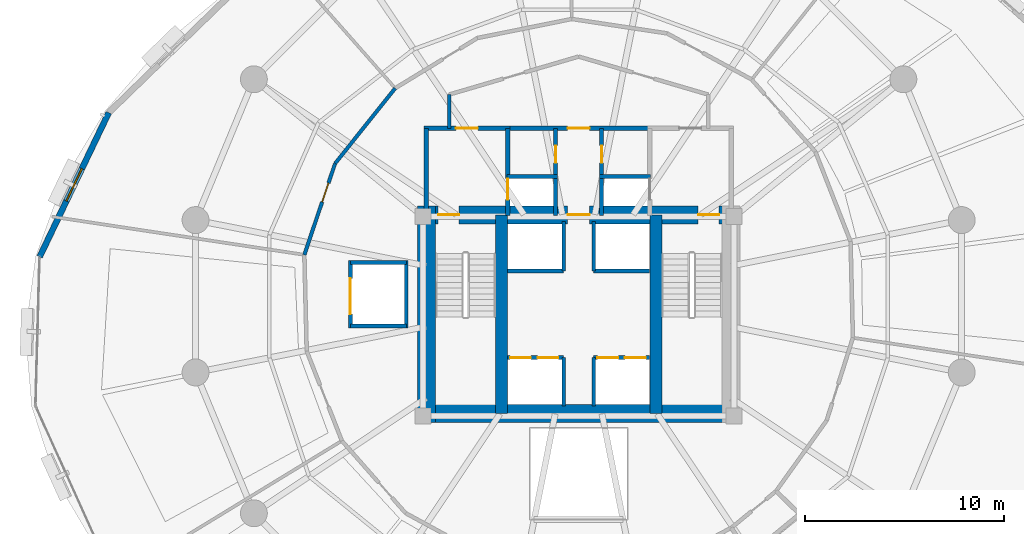
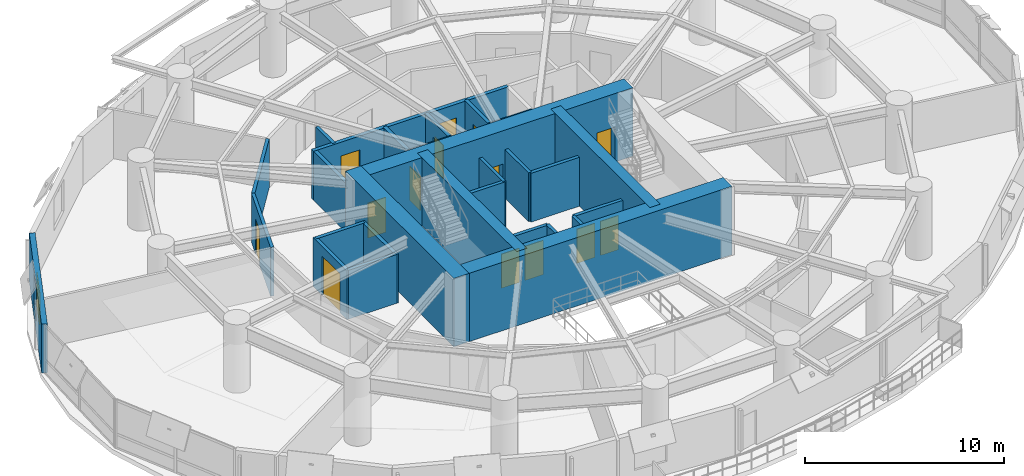
# One storey, part 12 of 17: 29 walls, 14 doors, 1 window, 15 openings.
"""IFC4 building model written with IfcOpenShell, lengths in metres."""

from ifc_helpers import new_model, si_unit, direction, frame, frame_2d, origin, place, context, subcontext, project, spatial, rectangle, extrude, material, layer, layer_set, type_object, element, fill, save


model = new_model("IFC4")

# Units and contexts
model_context = context("Model", 3, precision=1e-05, world=origin(), true_north=direction((0.0, 1.0)))
body_context = subcontext(model_context, "Body", "Model", "MODEL_VIEW")
ifc_project = project(units=[si_unit("LENGTHUNIT", "METRE"), si_unit("AREAUNIT", "SQUARE_METRE"), si_unit("VOLUMEUNIT", "CUBIC_METRE"), si_unit("PLANEANGLEUNIT", "RADIAN"), si_unit("MASSUNIT", "GRAM", prefix="KILO"), si_unit("THERMODYNAMICTEMPERATUREUNIT", "KELVIN"), si_unit("POWERUNIT", "WATT")], contexts=[model_context])

# Site, building, storey
site_placement = place(None, origin())
site = spatial("IfcSite", under=ifc_project, at=site_placement, CompositionType="ELEMENT")
building_placement = place(site_placement, origin())
building = spatial("IfcBuilding", under=site, at=building_placement, Name="Ocrelia Relay Tower", CompositionType="ELEMENT")
storey_placement = place(building_placement, frame((0.0, 0.0, 80.39990234375)))
storey = spatial("IfcBuildingStorey", under=building, at=storey_placement, Name="L18", CompositionType="ELEMENT", Elevation=80.39990234375)

# Wall
ifc_material_1 = material(Name="Concrete C70/85", Category="concrete")
ifc_layer_1 = layer(ifc_material_1, 0.89990234375, Name="Concrete C70/85")
ifc_layer_set_1 = layer_set([ifc_layer_1], Name="Concrete C70/85")
wall_type_1 = type_object("IfcWallType", Name="CW-CORE-900", PredefinedType="SHEAR", material=ifc_layer_set_1)
wall_1_placement = place(storey_placement, frame((25.922119140625, 20.112060546875, 0.0), z_axis=(0.0, 0.0, 1.0), x_axis=(1.0, 0.0, 0.0)))
element("IfcWall", 1, at=wall_1_placement, inside=storey, type_object=wall_type_1, Name="L18 Core Shear Wall S", PredefinedType="SHEAR", context=body_context, shape_type="SweptSolid", body=[
    extrude(rectangle(XDim=16.165771484375, YDim=0.89990234375, at=frame_2d((8.0830078125, 0.0))), origin(), (0.0, 0.0, 1.0), 4.2001953125),
])

# Wall, openings, doors
wall_2_placement = place(storey_placement, frame((25.922119140625, 30.087890625, 0.0), z_axis=(0.0, 0.0, 1.0), x_axis=(1.0, 0.0, 0.0)))
wall_2 = element("IfcWall", 2, at=wall_2_placement, inside=storey, type_object=wall_type_1, Name="L18 Core Shear Wall N", PredefinedType="SHEAR", context=body_context, shape_type="SweptSolid", body=[
    extrude(rectangle(XDim=16.165771484375, YDim=0.89990234375, at=frame_2d((8.0830078125, 0.0))), origin(), (0.0, 0.0, 1.0), 4.2001953125),
])
opening_1_placement = place(wall_2_placement, frame((1.028076171875, 0.0, 0.0)))
opening_1 = element("IfcOpeningElement", 3, at=opening_1_placement, cuts=wall_2, Name="Opening D-FD90", PredefinedType="OPENING", context=body_context, shape_type="SweptSolid", body=[
    extrude(rectangle(XDim=1.050048828125, YDim=2.14990234375, at=frame_2d((0.52490234375, 1.074951171875))), frame((0.0, 0.4599609375, 0.0), z_axis=(0.0, -1.0, 0.0), x_axis=(1.0, 0.0, 0.0)), (0.0, 0.0, 1.0), 0.919921875),
])
opening_2_placement = place(wall_2_placement, frame((14.077880859375, 0.0, 0.0)))
opening_2 = element("IfcOpeningElement", 4, at=opening_2_placement, cuts=wall_2, Name="Opening D-FD90", PredefinedType="OPENING", context=body_context, shape_type="SweptSolid", body=[
    extrude(rectangle(XDim=1.050048828125, YDim=2.14990234375, at=frame_2d((0.52490234375, 1.074951171875))), frame((0.0, 0.4599609375, 0.0), z_axis=(0.0, -1.0, 0.0), x_axis=(1.0, 0.0, 0.0)), (0.0, 0.0, 1.0), 0.919921875),
])
opening_3_placement = place(wall_2_placement, frame((7.528076171875, 0.0, 0.0)))
opening_3 = element("IfcOpeningElement", 5, at=opening_3_placement, cuts=wall_2, Name="Opening D-FD60", PredefinedType="OPENING", context=body_context, shape_type="SweptSolid", body=[
    extrude(rectangle(XDim=1.10009765625, YDim=2.14990234375, at=frame_2d((0.550048828125, 1.074951171875))), frame((0.0, 0.4599609375, 0.0), z_axis=(0.0, -1.0, 0.0), x_axis=(1.0, 0.0, 0.0)), (0.0, 0.0, 1.0), 0.919921875),
])
ifc_material_2 = material(Name="Timber-core 60-min acoustic fire door", Category="wood")
door_type_1 = type_object("IfcDoorType", Name="DR-LOBBY-FD60-1100", OperationType="NOTDEFINED", PredefinedType="DOOR", material=ifc_material_2)
door_1_placement = place(opening_3_placement, origin())
door_1 = element("IfcDoor", 6, at=door_1_placement, inside=storey, type_object=door_type_1, Name="L18 Core Lift Lobby North Fire Door", OperationType="SINGLE_SWING_RIGHT", OverallHeight=2.14990234375, OverallWidth=1.10009765625, PredefinedType="DOOR", context=body_context, shape_type="SweptSolid", body=[
    extrude(rectangle(XDim=1.10009765625, YDim=2.14990234375, at=frame_2d((0.550048828125, 1.074951171875))), frame((0.0, 0.02490234375, 0.0), z_axis=(0.0, -1.0, 0.0), x_axis=(1.0, 0.0, 0.0)), (0.0, 0.0, 1.0), 0.050048828125),
])
fill(opening_3, door_1)
ifc_material_3 = material(Name="Steel S355 90-min fire door", Category="steel")
door_type_2 = type_object("IfcDoorType", Name="DR-STAIR-FD90-1050", OperationType="NOTDEFINED", PredefinedType="DOOR", material=ifc_material_3)
door_2_placement = place(opening_1_placement, origin())
door_2 = element("IfcDoor", 7, at=door_2_placement, inside=storey, type_object=door_type_2, Name="L18 Stair ST1 Fire Door", OperationType="SINGLE_SWING_RIGHT", OverallHeight=2.14990234375, OverallWidth=1.050048828125, PredefinedType="DOOR", context=body_context, shape_type="SweptSolid", body=[
    extrude(rectangle(XDim=1.050048828125, YDim=2.14990234375, at=frame_2d((0.52490234375, 1.074951171875))), frame((0.0, 0.02490234375, 0.0), z_axis=(0.0, -1.0, 0.0), x_axis=(1.0, 0.0, 0.0)), (0.0, 0.0, 1.0), 0.050048828125),
])
fill(opening_1, door_2)
door_3_placement = place(opening_2_placement, origin())
door_3 = element("IfcDoor", 8, at=door_3_placement, inside=storey, type_object=door_type_2, Name="L18 Stair ST2 Fire Door", OperationType="SINGLE_SWING_LEFT", OverallHeight=2.14990234375, OverallWidth=1.050048828125, PredefinedType="DOOR", context=body_context, shape_type="SweptSolid", body=[
    extrude(rectangle(XDim=1.050048828125, YDim=2.14990234375, at=frame_2d((0.52490234375, 1.074951171875))), frame((0.0, 0.02490234375, 0.0), z_axis=(0.0, -1.0, 0.0), x_axis=(1.0, 0.0, 0.0)), (0.0, 0.0, 1.0), 0.050048828125),
])
fill(opening_2, door_3)

# Walls
wall_3_placement = place(storey_placement, frame((26.3720703125, 19.662109375, 0.0), z_axis=(0.0, 0.0, 1.0), x_axis=(0.0, 1.0, 0.0)))
element("IfcWall", 9, at=wall_3_placement, inside=storey, type_object=wall_type_1, Name="L18 Core Shear Wall W", PredefinedType="SHEAR", context=body_context, shape_type="SweptSolid", body=[
    extrude(rectangle(XDim=10.8759765625, YDim=0.89990234375, at=frame_2d((5.43798828125, 0.0))), origin(), (0.0, 0.0, 1.0), 4.2001953125),
])
for number, where, z_axis, x_axis, name in (
    (10, (30.137939453125, 20.112060546875, 0.0), (0.0, 0.0, 1.0), (0.0, 1.0, 0.0), "L18 Core Shear Wall SPW"),
    (11, (37.8720703125, 20.112060546875, 0.0), (0.0, 0.0, 1.0), (0.0, 1.0, 0.0), "L18 Core Shear Wall SPE"),
):
    element("IfcWall", number, at=place(storey_placement, frame(where, z_axis=z_axis, x_axis=x_axis)), inside=storey, type_object=wall_type_1, Name=name, PredefinedType="SHEAR", context=body_context, shape_type="SweptSolid", body=[
        extrude(rectangle(XDim=9.975830078125, YDim=0.60009765625, at=frame_2d((4.98779296875, 0.0))), origin(), (0.0, 0.0, 1.0), 4.2001953125),
    ])
ifc_material_4 = material(Name="Gypsum Fireboard Partition EI60", Category="gypsum")
ifc_layer_2 = layer(ifc_material_4, 0.179931640625, Name="Gypsum Fireboard Partition EI60")
ifc_layer_set_2 = layer_set([ifc_layer_2], Name="Gypsum Fireboard Partition EI60")
wall_type_2 = type_object("IfcWallType", Name="W-CORR-EI60-180", PredefinedType="PARTITIONING", material=ifc_layer_set_2)
wall_4_placement = place(storey_placement, frame((27.5, 34.429931640625, 0.0), z_axis=(0.0, 0.0, 1.0), x_axis=(0.0, 1.0, 0.0)))
element("IfcWall", 12, at=wall_4_placement, inside=storey, type_object=wall_type_2, Name="L18 Smoke Lobby West Return", PredefinedType="PARTITIONING", context=body_context, shape_type="SweptSolid", body=[
    extrude(rectangle(XDim=1.69287109375, YDim=0.179931640625, at=frame_2d((0.846435546875, 0.0))), origin(), (0.0, 0.0, 1.0), 3.0),
])
wall_5_placement = place(storey_placement, frame((24.79443359375, 36.44140625, 0.0), z_axis=(0.0, 0.0, 1.0), x_axis=(-0.623863242023, -0.781533527913, 0.0)))
element("IfcWall", 13, at=wall_5_placement, inside=storey, type_object=wall_type_2, Name="L18 Cable Drum Store Corridor Partition 1", PredefinedType="PARTITIONING", context=body_context, shape_type="SweptSolid", body=[
    extrude(rectangle(XDim=4.834228515625, YDim=0.179931640625, at=frame_2d((2.4169921875, 0.0))), origin(), (0.0, 0.0, 1.0), 3.0),
])

# Wall, opening, door
wall_6_placement = place(storey_placement, frame((21.778564453125, 32.663330078125, 0.0), z_axis=(0.0, 0.0, 1.0), x_axis=(-0.318968686781, -0.947765254086, 0.0)))
wall_6 = element("IfcWall", 14, at=wall_6_placement, inside=storey, type_object=wall_type_2, Name="L18 Cable Drum Store Corridor Partition 2", PredefinedType="PARTITIONING", context=body_context, shape_type="SweptSolid", body=[
    extrude(rectangle(XDim=4.834228515625, YDim=0.179931640625, at=frame_2d((2.4169921875, 0.0))), origin(), (0.0, 0.0, 1.0), 3.0),
])
opening_4_placement = place(wall_6_placement, frame((1.03369140625, 0.0, 0.0)))
opening_4 = element("IfcOpeningElement", 15, at=opening_4_placement, cuts=wall_6, Name="Opening D-RM100", PredefinedType="OPENING", context=body_context, shape_type="SweptSolid", body=[
    extrude(rectangle(XDim=1.0, YDim=2.14990234375, at=frame_2d((0.5, 1.074951171875))), frame((0.0, 0.10009765625, 0.0), z_axis=(0.0, -1.0, 0.0), x_axis=(1.0, 0.0, 0.0)), (0.0, 0.0, 1.0), 0.199951171875),
])
ifc_material_5 = material(Name="Acoustic oak veneer fire door", Category="wood")
door_type_3 = type_object("IfcDoorType", Name="DR-ROOM-FD60-1000", OperationType="NOTDEFINED", PredefinedType="DOOR", material=ifc_material_5)
door_4_placement = place(opening_4_placement, origin())
door_4 = element("IfcDoor", 16, at=door_4_placement, inside=storey, type_object=door_type_3, Name="L18 Cable Drum Store Entrance Door", OperationType="SINGLE_SWING_RIGHT", OverallHeight=2.14990234375, OverallWidth=1.0, PredefinedType="DOOR", context=body_context, shape_type="SweptSolid", body=[
    extrude(rectangle(XDim=1.0, YDim=2.14990234375, at=frame_2d((0.5, 1.074951171875))), frame((0.0, 0.02490234375, 0.0), z_axis=(0.0, -1.0, 0.0), x_axis=(1.0, 0.0, 0.0)), (0.0, 0.0, 1.0), 0.050048828125),
])
fill(opening_4, door_4)

# Wall, opening, window
ifc_material_6 = material(Name="Precast concrete C40/50 with oxide terracotta", Category="masonry")
ifc_layer_3 = layer(ifc_material_6, 0.300048828125, Name="Precast concrete C40/50 with oxide terracotta")
ifc_layer_set_3 = layer_set([ifc_layer_3], Name="Precast concrete C40/50 with oxide terracotta")
wall_type_3 = type_object("IfcWallType", Name="W-EXT-TERR-300", PredefinedType="SOLIDWALL", material=ifc_layer_set_3)
wall_7_placement = place(storey_placement, frame((10.41796875, 35.2119140625, 0.0), z_axis=(0.0, 0.0, 1.0), x_axis=(-0.432090786928, -0.901830112522, 0.0)))
wall_7 = element("IfcWall", 17, at=wall_7_placement, inside=storey, type_object=wall_type_3, Name="L18 Oxide Terracotta Facade Wall 08", PredefinedType="SOLIDWALL", context=body_context, shape_type="SweptSolid", body=[
    extrude(rectangle(XDim=8.021728515625, YDim=0.300048828125, at=frame_2d((4.0107421875, 0.0))), origin(), (0.0, 0.0, 1.0), 3.0),
])
opening_5_placement = place(wall_7_placement, frame((3.111083984375, 0.0, 0.800048828125)))
opening_5 = element("IfcOpeningElement", 18, at=opening_5_placement, cuts=wall_7, Name="Opening W-02", PredefinedType="OPENING", context=body_context, shape_type="SweptSolid", body=[
    extrude(rectangle(XDim=1.800048828125, YDim=1.949951171875, at=frame_2d((0.89990234375, 0.97509765625))), frame((0.0, 0.16015625, 0.0), z_axis=(0.0, -1.0, 0.0), x_axis=(1.0, 0.0, 0.0)), (0.0, 0.0, 1.0), 0.320068359375),
])
ifc_material_7 = material(Name="Clear double-glazed low-E glass", Category="glass")
window_type = type_object("IfcWindowType", Name="WIN-Z1-1800x2100", PartitioningType="DOUBLE_PANEL_VERTICAL", PredefinedType="WINDOW", material=ifc_material_7)
window_placement = place(opening_5_placement, origin())
window = element("IfcWindow", 19, at=window_placement, inside=storey, type_object=window_type, Name="L18 Facade Module Window 08", OverallHeight=1.949951171875, OverallWidth=1.800048828125, PartitioningType="SINGLE_PANEL", PredefinedType="WINDOW", context=body_context, shape_type="SweptSolid", body=[
    extrude(rectangle(XDim=1.800048828125, YDim=1.949951171875, at=frame_2d((0.89990234375, 0.97509765625))), frame((0.0, 0.030029296875, 0.0), z_axis=(0.0, -1.0, 0.0), x_axis=(1.0, 0.0, 0.0)), (0.0, 0.0, 1.0), 0.06005859375),
])
fill(opening_5, window)

# Wall
ifc_material_8 = material(Name="Concrete C50/60", Category="concrete")
ifc_layer_4 = layer(ifc_material_8, 0.219970703125, Name="Concrete C50/60")
ifc_layer_set_4 = layer_set([ifc_layer_4], Name="Concrete C50/60")
wall_type_4 = type_object("IfcWallType", Name="W-FFL-EI120-220", PredefinedType="SOLIDWALL", material=ifc_layer_set_4)
wall_8_placement = place(storey_placement, frame((26.35009765625, 30.050048828125, 0.0), z_axis=(0.0, 0.0, 1.0), x_axis=(0.0, 1.0, 0.0)))
element("IfcWall", 20, at=wall_8_placement, inside=storey, type_object=wall_type_4, Name="L18 W Fire Service Lift Lobby West Wall", PredefinedType="SOLIDWALL", context=body_context, shape_type="SweptSolid", body=[
    extrude(rectangle(XDim=4.3798828125, YDim=0.219970703125, at=frame_2d((2.18994140625, 0.0))), origin(), (0.0, 0.0, 1.0), 3.0),
])

# Wall, opening, door
wall_9_placement = place(storey_placement, frame((30.43994140625, 30.050048828125, 0.0), z_axis=(0.0, 0.0, 1.0), x_axis=(0.0, 1.0, 0.0)))
wall_9 = element("IfcWall", 21, at=wall_9_placement, inside=storey, type_object=wall_type_4, Name="L18 W Fire Service Lift Lobby East Wall", PredefinedType="SOLIDWALL", context=body_context, shape_type="SweptSolid", body=[
    extrude(rectangle(XDim=4.3798828125, YDim=0.219970703125, at=frame_2d((2.18994140625, 0.0))), origin(), (0.0, 0.0, 1.0), 3.0),
])
opening_6_placement = place(wall_9_placement, frame((0.800048828125, 0.0, 0.0)))
opening_6 = element("IfcOpeningElement", 22, at=opening_6_placement, cuts=wall_9, Name="Opening LD-FFL1", PredefinedType="OPENING", context=body_context, shape_type="SweptSolid", body=[
    extrude(rectangle(XDim=1.050048828125, YDim=2.10009765625, at=frame_2d((0.52490234375, 1.050048828125))), frame((0.0, 0.1201171875, 0.0), z_axis=(0.0, -1.0, 0.0), x_axis=(1.0, 0.0, 0.0)), (0.0, 0.0, 1.0), 0.239990234375),
])
ifc_material_9 = material(Name="Brushed stainless steel S355 lift landing door", Category="steel")
door_type_4 = type_object("IfcDoorType", Name="DR-LIFT-LAND-1050", OperationType="DOUBLE_DOOR_SLIDING", PredefinedType="USERDEFINED", material=ifc_material_9)
door_5_placement = place(opening_6_placement, origin())
door_5 = element("IfcDoor", 23, at=door_5_placement, inside=storey, type_object=door_type_4, Name="L18 Firefighting Lift FFL1 Sliding Landing Door", ObjectType="LANDING DOOR", OperationType="DOUBLE_DOOR_SLIDING", OverallHeight=2.10009765625, OverallWidth=1.050048828125, PredefinedType="USERDEFINED", context=body_context, shape_type="SweptSolid", body=[
    extrude(rectangle(XDim=1.050048828125, YDim=2.10009765625, at=frame_2d((0.52490234375, 1.050048828125))), frame((0.0, 0.02490234375, 0.0), z_axis=(0.0, -1.0, 0.0), x_axis=(1.0, 0.0, 0.0)), (0.0, 0.0, 1.0), 0.050048828125),
])
fill(opening_6, door_5)

wall_10_placement = place(storey_placement, frame((26.239990234375, 34.429931640625, 0.0), z_axis=(0.0, 0.0, 1.0), x_axis=(1.0, 0.0, 0.0)))
wall_10 = element("IfcWall", 24, at=wall_10_placement, inside=storey, type_object=wall_type_4, Name="L18 W Fire Service Lift Lobby North Wall", PredefinedType="SOLIDWALL", context=body_context, shape_type="SweptSolid", body=[
    extrude(rectangle(XDim=4.31005859375, YDim=0.219970703125, at=frame_2d((2.155029296875, 0.0))), origin(), (0.0, 0.0, 1.0), 3.0),
])
opening_7_placement = place(wall_10_placement, frame((1.60009765625, 0.0, 0.0)))
opening_7 = element("IfcOpeningElement", 25, at=opening_7_placement, cuts=wall_10, Name="Opening D-FD60", PredefinedType="OPENING", context=body_context, shape_type="SweptSolid", body=[
    extrude(rectangle(XDim=1.10009765625, YDim=2.14990234375, at=frame_2d((0.550048828125, 1.074951171875))), frame((0.0, 0.1201171875, 0.0), z_axis=(0.0, -1.0, 0.0), x_axis=(1.0, 0.0, 0.0)), (0.0, 0.0, 1.0), 0.239990234375),
])
door_6_placement = place(opening_7_placement, origin())
door_6 = element("IfcDoor", 26, at=door_6_placement, inside=storey, type_object=door_type_1, Name="L18 W Fire Service Lift Lobby Exit Door", OperationType="SINGLE_SWING_LEFT", OverallHeight=2.14990234375, OverallWidth=1.10009765625, PredefinedType="DOOR", context=body_context, shape_type="SweptSolid", body=[
    extrude(rectangle(XDim=1.10009765625, YDim=2.14990234375, at=frame_2d((0.550048828125, 1.074951171875))), frame((0.0, 0.02490234375, 0.0), z_axis=(0.0, -1.0, 0.0), x_axis=(1.0, 0.0, 0.0)), (0.0, 0.0, 1.0), 0.050048828125),
])
fill(opening_7, door_6)

wall_11_placement = place(storey_placement, frame((30.43994140625, 34.429931640625, 0.0), z_axis=(0.0, 0.0, 1.0), x_axis=(1.0, 0.0, 0.0)))
wall_11 = element("IfcWall", 27, at=wall_11_placement, inside=storey, type_object=wall_type_4, Name="L18 North Core Vestibule Wall", PredefinedType="SOLIDWALL", context=body_context, shape_type="SweptSolid", body=[
    extrude(rectangle(XDim=7.1201171875, YDim=0.219970703125, at=frame_2d((3.56005859375, 0.0))), origin(), (0.0, 0.0, 1.0), 3.0),
])
opening_8_placement = place(wall_11_placement, frame((3.010009765625, 0.0, 0.0)))
opening_8 = element("IfcOpeningElement", 28, at=opening_8_placement, cuts=wall_11, Name="Opening D-FD60", PredefinedType="OPENING", context=body_context, shape_type="SweptSolid", body=[
    extrude(rectangle(XDim=1.10009765625, YDim=2.14990234375, at=frame_2d((0.550048828125, 1.074951171875))), frame((0.0, 0.1201171875, 0.0), z_axis=(0.0, -1.0, 0.0), x_axis=(1.0, 0.0, 0.0)), (0.0, 0.0, 1.0), 0.239990234375),
])
door_7_placement = place(opening_8_placement, origin())
door_7 = element("IfcDoor", 29, at=door_7_placement, inside=storey, type_object=door_type_1, Name="L18 North Core Vestibule Corridor Door", OperationType="SINGLE_SWING_LEFT", OverallHeight=2.14990234375, OverallWidth=1.10009765625, PredefinedType="DOOR", context=body_context, shape_type="SweptSolid", body=[
    extrude(rectangle(XDim=1.10009765625, YDim=2.14990234375, at=frame_2d((0.550048828125, 1.074951171875))), frame((0.0, 0.02490234375, 0.0), z_axis=(0.0, -1.0, 0.0), x_axis=(1.0, 0.0, 0.0)), (0.0, 0.0, 1.0), 0.050048828125),
])
fill(opening_8, door_7)

# Wall
ifc_layer_5 = layer(ifc_material_8, 0.199951171875, Name="Concrete C50/60")
ifc_layer_set_5 = layer_set([ifc_layer_5], Name="Concrete C50/60")
wall_type_5 = type_object("IfcWallType", Name="W-SHAFT-EI120-200", PredefinedType="SOLIDWALL", material=ifc_layer_set_5)
wall_12_placement = place(storey_placement, frame((30.39990234375, 32.0, 0.0), z_axis=(0.0, 0.0, 1.0), x_axis=(1.0, 0.0, 0.0)))
element("IfcWall", 30, at=wall_12_placement, inside=storey, type_object=wall_type_5, Name="L18 FFL1 Hoistway North Wall", PredefinedType="SOLIDWALL", context=body_context, shape_type="SweptSolid", body=[
    extrude(rectangle(XDim=2.550048828125, YDim=0.199951171875, at=frame_2d((1.27490234375, 0.0))), origin(), (0.0, 0.0, 1.0), 3.0),
])

# Wall, opening, door
wall_13_placement = place(storey_placement, frame((32.85009765625, 30.050048828125, 0.0), z_axis=(0.0, 0.0, 1.0), x_axis=(0.0, 1.0, 0.0)))
wall_13 = element("IfcWall", 31, at=wall_13_placement, inside=storey, type_object=wall_type_5, Name="L18 FFL1 and Service Vestibule Wall", PredefinedType="SOLIDWALL", context=body_context, shape_type="SweptSolid", body=[
    extrude(rectangle(XDim=4.3798828125, YDim=0.199951171875, at=frame_2d((2.18994140625, 0.0))), origin(), (0.0, 0.0, 1.0), 3.0),
])
opening_9_placement = place(wall_13_placement, frame((2.64990234375, 0.0, 0.0)))
opening_9 = element("IfcOpeningElement", 32, at=opening_9_placement, cuts=wall_13, Name="Opening D-RS86", PredefinedType="OPENING", context=body_context, shape_type="SweptSolid", body=[
    extrude(rectangle(XDim=0.860107421875, YDim=2.050048828125, at=frame_2d((0.43017578125, 1.02490234375))), frame((0.0, 0.10986328125, 0.0), z_axis=(0.0, -1.0, 0.0), x_axis=(1.0, 0.0, 0.0)), (0.0, 0.0, 1.0), 0.219970703125),
])
ifc_material_10 = material(Name="Steel S355 riser access fire door", Category="steel")
door_type_5 = type_object("IfcDoorType", Name="DR-RISER-TRAP-860", OperationType="NOTDEFINED", PredefinedType="TRAPDOOR", material=ifc_material_10)
door_8_placement = place(opening_9_placement, origin())
door_8 = element("IfcDoor", 33, at=door_8_placement, inside=storey, type_object=door_type_5, Name="L18 Core Support Room W Door", OperationType="SINGLE_SWING_RIGHT", OverallHeight=2.050048828125, OverallWidth=0.860107421875, PredefinedType="TRAPDOOR", context=body_context, shape_type="SweptSolid", body=[
    extrude(rectangle(XDim=0.860107421875, YDim=2.050048828125, at=frame_2d((0.43017578125, 1.02490234375))), frame((0.0, 0.02490234375, 0.0), z_axis=(0.0, -1.0, 0.0), x_axis=(1.0, 0.0, 0.0)), (0.0, 0.0, 1.0), 0.050048828125),
])
fill(opening_9, door_8)

# Wall
wall_14_placement = place(storey_placement, frame((35.050048828125, 32.0, 0.0), z_axis=(0.0, 0.0, 1.0), x_axis=(1.0, 0.0, 0.0)))
element("IfcWall", 34, at=wall_14_placement, inside=storey, type_object=wall_type_5, Name="L18 FFL2 Hoistway North Wall", PredefinedType="SOLIDWALL", context=body_context, shape_type="SweptSolid", body=[
    extrude(rectangle(XDim=2.550048828125, YDim=0.199951171875, at=frame_2d((1.27490234375, 0.0))), origin(), (0.0, 0.0, 1.0), 3.0),
])

# Wall, opening, door
wall_15_placement = place(storey_placement, frame((35.14990234375, 30.050048828125, 0.0), z_axis=(0.0, 0.0, 1.0), x_axis=(0.0, 1.0, 0.0)))
wall_15 = element("IfcWall", 35, at=wall_15_placement, inside=storey, type_object=wall_type_5, Name="L18 FFL2 and Service Vestibule Wall", PredefinedType="SOLIDWALL", context=body_context, shape_type="SweptSolid", body=[
    extrude(rectangle(XDim=4.3798828125, YDim=0.199951171875, at=frame_2d((2.18994140625, 0.0))), origin(), (0.0, 0.0, 1.0), 3.0),
])
opening_10_placement = place(wall_15_placement, frame((2.64990234375, 0.0, 0.0)))
opening_10 = element("IfcOpeningElement", 36, at=opening_10_placement, cuts=wall_15, Name="Opening D-RS86", PredefinedType="OPENING", context=body_context, shape_type="SweptSolid", body=[
    extrude(rectangle(XDim=0.860107421875, YDim=2.050048828125, at=frame_2d((0.43017578125, 1.02490234375))), frame((0.0, 0.10986328125, 0.0), z_axis=(0.0, -1.0, 0.0), x_axis=(1.0, 0.0, 0.0)), (0.0, 0.0, 1.0), 0.219970703125),
])
door_9_placement = place(opening_10_placement, origin())
door_9 = element("IfcDoor", 37, at=door_9_placement, inside=storey, type_object=door_type_5, Name="L18 Core Support Room E Door", OperationType="SINGLE_SWING_RIGHT", OverallHeight=2.050048828125, OverallWidth=0.860107421875, PredefinedType="TRAPDOOR", context=body_context, shape_type="SweptSolid", body=[
    extrude(rectangle(XDim=0.860107421875, YDim=2.050048828125, at=frame_2d((0.43017578125, 1.02490234375))), frame((0.0, 0.02490234375, 0.0), z_axis=(0.0, -1.0, 0.0), x_axis=(1.0, 0.0, 0.0)), (0.0, 0.0, 1.0), 0.050048828125),
])
fill(opening_10, door_9)

# Wall, openings, doors
wall_16_placement = place(storey_placement, frame((30.43994140625, 22.919921875, 0.0), z_axis=(0.0, 0.0, 1.0), x_axis=(1.0, 0.0, 0.0)))
wall_16 = element("IfcWall", 38, at=wall_16_placement, inside=storey, type_object=wall_type_5, Name="L18 Low-Rise Lift Hoistway Wall W", PredefinedType="SOLIDWALL", context=body_context, shape_type="SweptSolid", body=[
    extrude(rectangle(XDim=2.81005859375, YDim=0.199951171875, at=frame_2d((1.405029296875, 0.0))), origin(), (0.0, 0.0, 1.0), 3.0),
])
opening_11_placement = place(wall_16_placement, frame((0.1201171875, 0.0, 0.0)))
opening_11 = element("IfcOpeningElement", 39, at=opening_11_placement, cuts=wall_16, Name="Opening LD-PL1", PredefinedType="OPENING", context=body_context, shape_type="SweptSolid", body=[
    extrude(rectangle(XDim=1.050048828125, YDim=2.10009765625, at=frame_2d((0.52490234375, 1.050048828125))), frame((0.0, 0.10986328125, 0.0), z_axis=(0.0, -1.0, 0.0), x_axis=(1.0, 0.0, 0.0)), (0.0, 0.0, 1.0), 0.219970703125),
])
opening_12_placement = place(wall_16_placement, frame((1.5, 0.0, 0.0)))
opening_12 = element("IfcOpeningElement", 40, at=opening_12_placement, cuts=wall_16, Name="Opening LD-PL2", PredefinedType="OPENING", context=body_context, shape_type="SweptSolid", body=[
    extrude(rectangle(XDim=1.050048828125, YDim=2.10009765625, at=frame_2d((0.52490234375, 1.050048828125))), frame((0.0, 0.10986328125, 0.0), z_axis=(0.0, -1.0, 0.0), x_axis=(1.0, 0.0, 0.0)), (0.0, 0.0, 1.0), 0.219970703125),
])
door_10_placement = place(opening_11_placement, origin())
door_10 = element("IfcDoor", 41, at=door_10_placement, inside=storey, type_object=door_type_4, Name="L18 Passenger Lift PL1 Sliding Landing Door", ObjectType="LANDING DOOR", OperationType="DOUBLE_DOOR_SLIDING", OverallHeight=2.10009765625, OverallWidth=1.050048828125, PredefinedType="USERDEFINED", context=body_context, shape_type="SweptSolid", body=[
    extrude(rectangle(XDim=1.050048828125, YDim=2.10009765625, at=frame_2d((0.52490234375, 1.050048828125))), frame((0.0, 0.02490234375, 0.0), z_axis=(0.0, -1.0, 0.0), x_axis=(1.0, 0.0, 0.0)), (0.0, 0.0, 1.0), 0.050048828125),
])
fill(opening_11, door_10)
door_11_placement = place(opening_12_placement, origin())
door_11 = element("IfcDoor", 42, at=door_11_placement, inside=storey, type_object=door_type_4, Name="L18 Passenger Lift PL2 Sliding Landing Door", ObjectType="LANDING DOOR", OperationType="DOUBLE_DOOR_SLIDING", OverallHeight=2.10009765625, OverallWidth=1.050048828125, PredefinedType="USERDEFINED", context=body_context, shape_type="SweptSolid", body=[
    extrude(rectangle(XDim=1.050048828125, YDim=2.10009765625, at=frame_2d((0.52490234375, 1.050048828125))), frame((0.0, 0.02490234375, 0.0), z_axis=(0.0, -1.0, 0.0), x_axis=(1.0, 0.0, 0.0)), (0.0, 0.0, 1.0), 0.050048828125),
])
fill(opening_12, door_11)

# Wall
wall_17_placement = place(storey_placement, frame((33.25, 20.5, 0.0), z_axis=(0.0, 0.0, 1.0), x_axis=(0.0, 1.0, 0.0)))
element("IfcWall", 43, at=wall_17_placement, inside=storey, type_object=wall_type_5, Name="L18 Low-Rise Lift Throat Wall W", PredefinedType="SOLIDWALL", context=body_context, shape_type="SweptSolid", body=[
    extrude(rectangle(XDim=2.419921875, YDim=0.179931640625, at=frame_2d((1.2099609375, 0.0))), origin(), (0.0, 0.0, 1.0), 3.0),
])

# Wall, openings, doors
wall_18_placement = place(storey_placement, frame((34.75, 22.919921875, 0.0), z_axis=(0.0, 0.0, 1.0), x_axis=(1.0, 0.0, 0.0)))
wall_18 = element("IfcWall", 44, at=wall_18_placement, inside=storey, type_object=wall_type_5, Name="L18 Low-Rise Lift Hoistway Wall E", PredefinedType="SOLIDWALL", context=body_context, shape_type="SweptSolid", body=[
    extrude(rectangle(XDim=2.81005859375, YDim=0.199951171875, at=frame_2d((1.405029296875, 0.0))), origin(), (0.0, 0.0, 1.0), 3.0),
])
opening_13_placement = place(wall_18_placement, frame((0.18994140625, 0.0, 0.0)))
opening_13 = element("IfcOpeningElement", 45, at=opening_13_placement, cuts=wall_18, Name="Opening LD-PL3", PredefinedType="OPENING", context=body_context, shape_type="SweptSolid", body=[
    extrude(rectangle(XDim=1.050048828125, YDim=2.10009765625, at=frame_2d((0.52490234375, 1.050048828125))), frame((0.0, 0.10986328125, 0.0), z_axis=(0.0, -1.0, 0.0), x_axis=(1.0, 0.0, 0.0)), (0.0, 0.0, 1.0), 0.219970703125),
])
opening_14_placement = place(wall_18_placement, frame((1.570068359375, 0.0, 0.0)))
opening_14 = element("IfcOpeningElement", 46, at=opening_14_placement, cuts=wall_18, Name="Opening LD-PL4", PredefinedType="OPENING", context=body_context, shape_type="SweptSolid", body=[
    extrude(rectangle(XDim=1.050048828125, YDim=2.10009765625, at=frame_2d((0.52490234375, 1.050048828125))), frame((0.0, 0.10986328125, 0.0), z_axis=(0.0, -1.0, 0.0), x_axis=(1.0, 0.0, 0.0)), (0.0, 0.0, 1.0), 0.219970703125),
])
door_12_placement = place(opening_13_placement, origin())
door_12 = element("IfcDoor", 47, at=door_12_placement, inside=storey, type_object=door_type_4, Name="L18 Passenger Lift PL3 Sliding Landing Door", ObjectType="LANDING DOOR", OperationType="DOUBLE_DOOR_SLIDING", OverallHeight=2.10009765625, OverallWidth=1.050048828125, PredefinedType="USERDEFINED", context=body_context, shape_type="SweptSolid", body=[
    extrude(rectangle(XDim=1.050048828125, YDim=2.10009765625, at=frame_2d((0.52490234375, 1.050048828125))), frame((0.0, 0.02490234375, 0.0), z_axis=(0.0, -1.0, 0.0), x_axis=(1.0, 0.0, 0.0)), (0.0, 0.0, 1.0), 0.050048828125),
])
fill(opening_13, door_12)
door_13_placement = place(opening_14_placement, origin())
door_13 = element("IfcDoor", 48, at=door_13_placement, inside=storey, type_object=door_type_4, Name="L18 Passenger Lift PL4 Sliding Landing Door", ObjectType="LANDING DOOR", OperationType="DOUBLE_DOOR_SLIDING", OverallHeight=2.10009765625, OverallWidth=1.050048828125, PredefinedType="USERDEFINED", context=body_context, shape_type="SweptSolid", body=[
    extrude(rectangle(XDim=1.050048828125, YDim=2.10009765625, at=frame_2d((0.52490234375, 1.050048828125))), frame((0.0, 0.02490234375, 0.0), z_axis=(0.0, -1.0, 0.0), x_axis=(1.0, 0.0, 0.0)), (0.0, 0.0, 1.0), 0.050048828125),
])
fill(opening_14, door_13)

# Walls
wall_19_placement = place(storey_placement, frame((34.75, 20.5, 0.0), z_axis=(0.0, 0.0, 1.0), x_axis=(0.0, 1.0, 0.0)))
element("IfcWall", 49, at=wall_19_placement, inside=storey, type_object=wall_type_5, Name="L18 Low-Rise Lift Throat Wall E", PredefinedType="SOLIDWALL", context=body_context, shape_type="SweptSolid", body=[
    extrude(rectangle(XDim=2.419921875, YDim=0.179931640625, at=frame_2d((1.2099609375, 0.0))), origin(), (0.0, 0.0, 1.0), 3.0),
])
wall_20_placement = place(storey_placement, frame((30.43994140625, 27.280029296875, 0.0), z_axis=(0.0, 0.0, 1.0), x_axis=(1.0, 0.0, 0.0)))
element("IfcWall", 50, at=wall_20_placement, inside=storey, type_object=wall_type_5, Name="L18 High-Rise Lift Hoistway Wall W", PredefinedType="SOLIDWALL", context=body_context, shape_type="SweptSolid", body=[
    extrude(rectangle(XDim=2.81005859375, YDim=0.199951171875, at=frame_2d((1.405029296875, 0.0))), origin(), (0.0, 0.0, 1.0), 3.0),
])
wall_21_placement = place(storey_placement, frame((33.25, 27.280029296875, 0.0), z_axis=(0.0, 0.0, 1.0), x_axis=(0.0, 1.0, 0.0)))
element("IfcWall", 51, at=wall_21_placement, inside=storey, type_object=wall_type_5, Name="L18 High-Rise Lift Throat Wall W", PredefinedType="SOLIDWALL", context=body_context, shape_type="SweptSolid", body=[
    extrude(rectangle(XDim=2.469970703125, YDim=0.179931640625, at=frame_2d((1.23486328125, 0.0))), origin(), (0.0, 0.0, 1.0), 3.0),
])
wall_22_placement = place(storey_placement, frame((34.75, 27.280029296875, 0.0), z_axis=(0.0, 0.0, 1.0), x_axis=(1.0, 0.0, 0.0)))
element("IfcWall", 52, at=wall_22_placement, inside=storey, type_object=wall_type_5, Name="L18 High-Rise Lift Hoistway Wall E", PredefinedType="SOLIDWALL", context=body_context, shape_type="SweptSolid", body=[
    extrude(rectangle(XDim=2.81005859375, YDim=0.199951171875, at=frame_2d((1.405029296875, 0.0))), origin(), (0.0, 0.0, 1.0), 3.0),
])
wall_23_placement = place(storey_placement, frame((34.75, 27.280029296875, 0.0), z_axis=(0.0, 0.0, 1.0), x_axis=(0.0, 1.0, 0.0)))
element("IfcWall", 53, at=wall_23_placement, inside=storey, type_object=wall_type_5, Name="L18 High-Rise Lift Throat Wall E", PredefinedType="SOLIDWALL", context=body_context, shape_type="SweptSolid", body=[
    extrude(rectangle(XDim=2.469970703125, YDim=0.179931640625, at=frame_2d((1.23486328125, 0.0))), origin(), (0.0, 0.0, 1.0), 3.0),
])

# Wall, opening, door
wall_24_placement = place(storey_placement, frame((22.550048828125, 24.39990234375, 0.0), z_axis=(0.0, 0.0, 1.0), x_axis=(0.0, 1.0, 0.0)))
wall_24 = element("IfcWall", 54, at=wall_24_placement, inside=storey, type_object=wall_type_5, Name="L18 Goods Lift Shaft West Wall", PredefinedType="SOLIDWALL", context=body_context, shape_type="SweptSolid", body=[
    extrude(rectangle(XDim=3.400146484375, YDim=0.199951171875, at=frame_2d((1.7001953125, 0.0))), origin(), (0.0, 0.0, 1.0), 3.0),
])
opening_15_placement = place(wall_24_placement, frame((0.699951171875, 0.0, 0.0)))
opening_15 = element("IfcOpeningElement", 55, at=opening_15_placement, cuts=wall_24, Name="Opening LD-GL1", PredefinedType="OPENING", context=body_context, shape_type="SweptSolid", body=[
    extrude(rectangle(XDim=1.800048828125, YDim=2.39990234375, at=frame_2d((0.89990234375, 1.199951171875))), frame((0.0, 0.10986328125, 0.0), z_axis=(0.0, -1.0, 0.0), x_axis=(1.0, 0.0, 0.0)), (0.0, 0.0, 1.0), 0.219970703125),
])
ifc_material_11 = material(Name="Heavy-duty stainless steel S355 goods landing door", Category="steel")
door_type_6 = type_object("IfcDoorType", Name="DR-GOODS-LAND-1800", OperationType="DOUBLE_DOOR_SLIDING", PredefinedType="USERDEFINED", material=ifc_material_11)
door_14_placement = place(opening_15_placement, origin())
door_14 = element("IfcDoor", 56, at=door_14_placement, inside=storey, type_object=door_type_6, Name="L18 Goods Lift GL1 Sliding Landing Door", ObjectType="LANDING DOOR", OperationType="DOUBLE_DOOR_SLIDING", OverallHeight=2.39990234375, OverallWidth=1.800048828125, PredefinedType="USERDEFINED", context=body_context, shape_type="SweptSolid", body=[
    extrude(rectangle(XDim=1.800048828125, YDim=2.39990234375, at=frame_2d((0.89990234375, 1.199951171875))), frame((0.0, 0.02490234375, 0.0), z_axis=(0.0, -1.0, 0.0), x_axis=(1.0, 0.0, 0.0)), (0.0, 0.0, 1.0), 0.050048828125),
])
fill(opening_15, door_14)

# Walls
wall_25_placement = place(storey_placement, frame((25.35009765625, 24.39990234375, 0.0), z_axis=(0.0, 0.0, 1.0), x_axis=(0.0, 1.0, 0.0)))
element("IfcWall", 57, at=wall_25_placement, inside=storey, type_object=wall_type_5, Name="L18 Goods Lift Shaft E Wall", PredefinedType="SOLIDWALL", context=body_context, shape_type="SweptSolid", body=[
    extrude(rectangle(XDim=3.400146484375, YDim=0.199951171875, at=frame_2d((1.7001953125, 0.0))), origin(), (0.0, 0.0, 1.0), 3.0),
])
for number, where, z_axis, x_axis, name in (
    (58, (22.550048828125, 24.5, 0.0), (0.0, 0.0, 1.0), (1.0, 0.0, 0.0), "L18 Goods Lift Shaft S Wall"),
    (59, (22.550048828125, 27.699951171875, 0.0), (0.0, 0.0, 1.0), (1.0, 0.0, 0.0), "L18 Goods Lift Shaft N Wall"),
):
    element("IfcWall", number, at=place(storey_placement, frame(where, z_axis=z_axis, x_axis=x_axis)), inside=storey, type_object=wall_type_5, Name=name, PredefinedType="SOLIDWALL", context=body_context, shape_type="SweptSolid", body=[
        extrude(rectangle(XDim=2.800048828125, YDim=0.199951171875, at=frame_2d((1.39990234375, 0.0))), origin(), (0.0, 0.0, 1.0), 3.0),
    ])

save(model, "model.ifc")
